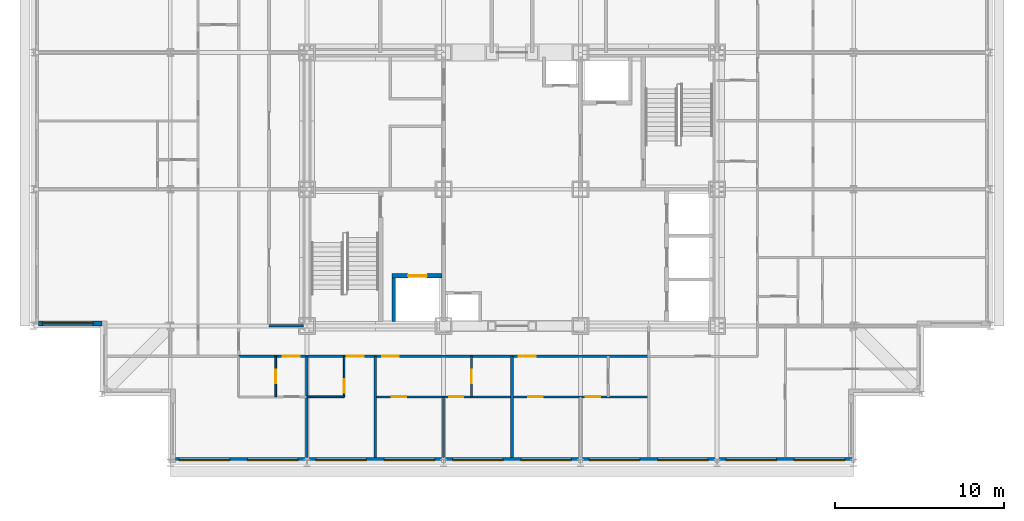
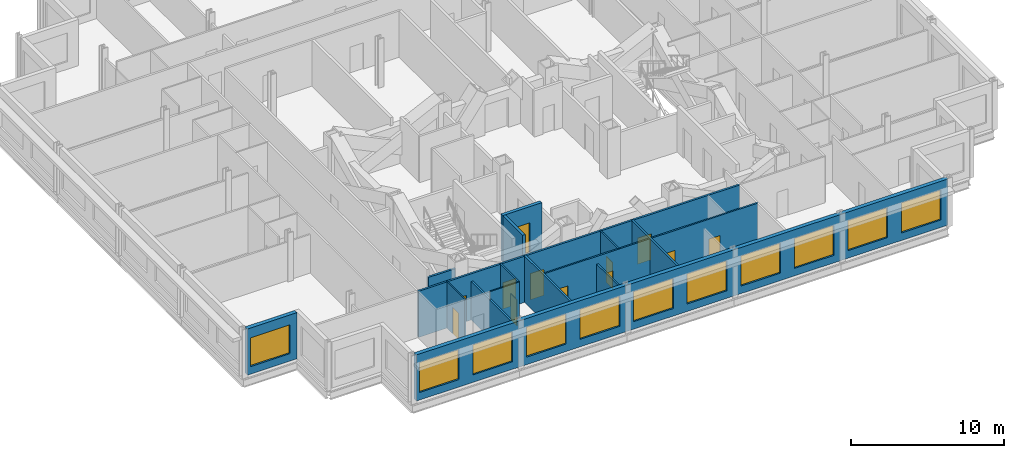
# One storey, part 7 of 15: 15 walls, 12 doors, 11 windows, 23 openings.
"""IFC4 building model written with IfcOpenShell, lengths in metres."""

from ifc_helpers import new_model, si_unit, direction, frame, frame_2d, origin, place, context, subcontext, project, spatial, rectangle, extrude, material, layer, layer_set, type_object, element, fill, save


model = new_model("IFC4")

# Units and contexts
model_context = context("Model", 3, precision=1e-05, world=origin(), true_north=direction((0.0, 1.0)))
body_context = subcontext(model_context, "Body", "Model", "MODEL_VIEW")
ifc_project = project(units=[si_unit("LENGTHUNIT", "METRE"), si_unit("AREAUNIT", "SQUARE_METRE"), si_unit("VOLUMEUNIT", "CUBIC_METRE"), si_unit("PLANEANGLEUNIT", "RADIAN"), si_unit("MASSUNIT", "GRAM", prefix="KILO")], contexts=[model_context])

# Site, building, storey
site_placement = place(None, origin())
site = spatial("IfcSite", under=ifc_project, at=site_placement, CompositionType="ELEMENT")
building_placement = place(site_placement, origin())
building = spatial("IfcBuilding", under=site, at=building_placement, Name="Kopane Lantern Tower", CompositionType="ELEMENT")
storey_placement = place(building_placement, frame((0.0, 0.0, 254.10009765625)))
storey = spatial("IfcBuildingStorey", under=building, at=storey_placement, Name="L65", CompositionType="ELEMENT", Elevation=254.10009765625)

# Wall, openings, doors
ifc_material_1 = material(Name="Gypsum board on steel studs", Category="steel")
ifc_layer_1 = layer(ifc_material_1, 0.1201171875)
ifc_layer_set_1 = layer_set([ifc_layer_1], Name="APARTMENT INTERNAL WALL 120")
wall_type_1 = type_object("IfcWallType", Name="APARTMENT INTERNAL WALL 120", PredefinedType="PARTITIONING", material=ifc_layer_set_1)
wall_1_placement = place(storey_placement, frame((20.25, 20.10009765625, 0.0), z_axis=(0.0, 0.0, 1.0), x_axis=(1.0, 0.0, 0.0)))
wall_1 = element("IfcWall", 1, at=wall_1_placement, inside=storey, type_object=wall_type_1, Name="Apartment Internal Wall 120 L65", PredefinedType="PARTITIONING", context=body_context, shape_type="SweptSolid", body=[
    extrude(rectangle(XDim=16.199951171875, YDim=0.1201171875, at=frame_2d((8.10009765625, 0.0))), origin(), (0.0, 0.0, 1.0), 3.68994140625),
])
opening_1_placement = place(wall_1_placement, frame((0.97509765625, 0.0, 0.0)))
opening_1 = element("IfcOpeningElement", 2, at=opening_1_placement, cuts=wall_1, Name="Opening L65-012", PredefinedType="OPENING", context=body_context, shape_type="SweptSolid", body=[
    extrude(rectangle(XDim=0.85009765625, YDim=2.10009765625, at=frame_2d((0.425048828125, 1.050048828125))), frame((0.0, 0.070068359375, 0.0), z_axis=(0.0, -1.0, 0.0), x_axis=(1.0, 0.0, 0.0)), (0.0, 0.0, 1.0), 0.14013671875),
])
opening_2_placement = place(wall_1_placement, frame((4.375, 0.0, 0.0)))
opening_2 = element("IfcOpeningElement", 3, at=opening_2_placement, cuts=wall_1, Name="Opening L65-013", PredefinedType="OPENING", context=body_context, shape_type="SweptSolid", body=[
    extrude(rectangle(XDim=0.85009765625, YDim=2.10009765625, at=frame_2d((0.425048828125, 1.050048828125))), frame((0.0, 0.070068359375, 0.0), z_axis=(0.0, -1.0, 0.0), x_axis=(1.0, 0.0, 0.0)), (0.0, 0.0, 1.0), 0.14013671875),
])
opening_3_placement = place(wall_1_placement, frame((9.074951171875, 0.0, 0.0)))
opening_3 = element("IfcOpeningElement", 4, at=opening_3_placement, cuts=wall_1, Name="Opening L65-016", PredefinedType="OPENING", context=body_context, shape_type="SweptSolid", body=[
    extrude(rectangle(XDim=0.85009765625, YDim=2.10009765625, at=frame_2d((0.425048828125, 1.050048828125))), frame((0.0, 0.070068359375, 0.0), z_axis=(0.0, -1.0, 0.0), x_axis=(1.0, 0.0, 0.0)), (0.0, 0.0, 1.0), 0.14013671875),
])
opening_4_placement = place(wall_1_placement, frame((12.47509765625, 0.0, 0.0)))
opening_4 = element("IfcOpeningElement", 5, at=opening_4_placement, cuts=wall_1, Name="Opening L65-017", PredefinedType="OPENING", context=body_context, shape_type="SweptSolid", body=[
    extrude(rectangle(XDim=0.85009765625, YDim=2.10009765625, at=frame_2d((0.425048828125, 1.050048828125))), frame((0.0, 0.070068359375, 0.0), z_axis=(0.0, -1.0, 0.0), x_axis=(1.0, 0.0, 0.0)), (0.0, 0.0, 1.0), 0.14013671875),
])
ifc_material_2 = material(Name="Timber door set", Category="wood")
door_type_1 = type_object("IfcDoorType", Name="DOOR D4 850x2100", OperationType="SINGLE_SWING_LEFT", PredefinedType="DOOR", material=ifc_material_2)
door_1_placement = place(opening_1_placement, origin())
door_1 = element("IfcDoor", 6, at=door_1_placement, inside=storey, type_object=door_type_1, Name="Door L65-012", OperationType="SINGLE_SWING_LEFT", OverallHeight=2.10009765625, OverallWidth=0.85009765625, PredefinedType="DOOR", context=body_context, shape_type="SweptSolid", body=[
    extrude(rectangle(XDim=0.85009765625, YDim=2.10009765625, at=frame_2d((0.425048828125, 1.050048828125))), frame((0.0, 0.02490234375, 0.0), z_axis=(0.0, -1.0, 0.0), x_axis=(1.0, 0.0, 0.0)), (0.0, 0.0, 1.0), 0.050048828125),
])
fill(opening_1, door_1)
door_2_placement = place(opening_2_placement, origin())
door_2 = element("IfcDoor", 7, at=door_2_placement, inside=storey, type_object=door_type_1, Name="Door L65-013", OperationType="SINGLE_SWING_RIGHT", OverallHeight=2.10009765625, OverallWidth=0.85009765625, PredefinedType="DOOR", context=body_context, shape_type="SweptSolid", body=[
    extrude(rectangle(XDim=0.85009765625, YDim=2.10009765625, at=frame_2d((0.425048828125, 1.050048828125))), frame((0.0, 0.02490234375, 0.0), z_axis=(0.0, -1.0, 0.0), x_axis=(1.0, 0.0, 0.0)), (0.0, 0.0, 1.0), 0.050048828125),
])
fill(opening_2, door_2)
door_3_placement = place(opening_3_placement, origin())
door_3 = element("IfcDoor", 8, at=door_3_placement, inside=storey, type_object=door_type_1, Name="Door L65-016", OperationType="SINGLE_SWING_LEFT", OverallHeight=2.10009765625, OverallWidth=0.85009765625, PredefinedType="DOOR", context=body_context, shape_type="SweptSolid", body=[
    extrude(rectangle(XDim=0.85009765625, YDim=2.10009765625, at=frame_2d((0.425048828125, 1.050048828125))), frame((0.0, 0.02490234375, 0.0), z_axis=(0.0, -1.0, 0.0), x_axis=(1.0, 0.0, 0.0)), (0.0, 0.0, 1.0), 0.050048828125),
])
fill(opening_3, door_3)
door_4_placement = place(opening_4_placement, origin())
door_4 = element("IfcDoor", 9, at=door_4_placement, inside=storey, type_object=door_type_1, Name="Door L65-017", OperationType="SINGLE_SWING_RIGHT", OverallHeight=2.10009765625, OverallWidth=0.85009765625, PredefinedType="DOOR", context=body_context, shape_type="SweptSolid", body=[
    extrude(rectangle(XDim=0.85009765625, YDim=2.10009765625, at=frame_2d((0.425048828125, 1.050048828125))), frame((0.0, 0.02490234375, 0.0), z_axis=(0.0, -1.0, 0.0), x_axis=(1.0, 0.0, 0.0)), (0.0, 0.0, 1.0), 0.050048828125),
])
fill(opening_4, door_4)

# Walls
wall_2_placement = place(storey_placement, frame((24.300048828125, 20.10009765625, 0.0), z_axis=(0.0, 0.0, 1.0), x_axis=(0.0, -1.0, 0.0)))
element("IfcWall", 10, at=wall_2_placement, inside=storey, type_object=wall_type_1, Name="Apartment Internal Wall 120 L65", PredefinedType="PARTITIONING", context=body_context, shape_type="SweptSolid", body=[
    extrude(rectangle(XDim=3.60009765625, YDim=0.1201171875, at=frame_2d((1.800048828125, 0.0))), origin(), (0.0, 0.0, 1.0), 3.07763671875),
])
ifc_material_3 = material(Name="Moisture-resistant board on steel studs", Category="steel")
ifc_layer_2 = layer(ifc_material_3, 0.10009765625)
ifc_layer_set_2 = layer_set([ifc_layer_2], Name="BATHROOM WALL 100")
wall_type_2 = type_object("IfcWallType", Name="BATHROOM WALL 100", PredefinedType="PARTITIONING", material=ifc_layer_set_2)
wall_3_placement = place(storey_placement, frame((16.199951171875, 20.10009765625, 0.0), z_axis=(0.0, 0.0, 1.0), x_axis=(1.0, 0.0, 0.0)))
element("IfcWall", 11, at=wall_3_placement, inside=storey, type_object=wall_type_2, Name="Bathroom Wall 100 L65", PredefinedType="PARTITIONING", context=body_context, shape_type="SweptSolid", body=[
    extrude(rectangle(XDim=2.199951171875, YDim=0.10009765625, at=frame_2d((1.10009765625, 0.0))), origin(), (0.0, 0.0, 1.0), 3.68994140625),
])

# Wall, opening, door
wall_4_placement = place(storey_placement, frame((18.39990234375, 22.5, 0.0), z_axis=(0.0, 0.0, 1.0), x_axis=(0.0, -1.0, 0.0)))
wall_4 = element("IfcWall", 12, at=wall_4_placement, inside=storey, type_object=wall_type_2, Name="Bathroom Wall 100 L65", PredefinedType="PARTITIONING", context=body_context, shape_type="SweptSolid", body=[
    extrude(rectangle(XDim=2.39990234375, YDim=0.10009765625, at=frame_2d((1.199951171875, 0.0))), origin(), (0.0, 0.0, 1.0), 3.68994140625),
])
opening_5_placement = place(wall_4_placement, frame((1.35009765625, 0.0, 0.0)))
opening_5 = element("IfcOpeningElement", 13, at=opening_5_placement, cuts=wall_4, Name="Opening L65-008", PredefinedType="OPENING", context=body_context, shape_type="SweptSolid", body=[
    extrude(rectangle(XDim=0.800048828125, YDim=2.10009765625, at=frame_2d((0.39990234375, 1.050048828125))), frame((0.0, 0.06005859375, 0.0), z_axis=(0.0, -1.0, 0.0), x_axis=(1.0, 0.0, 0.0)), (0.0, 0.0, 1.0), 0.1201171875),
])
ifc_material_4 = material(Name="Timber door set", Category="wood")
door_type_2 = type_object("IfcDoorType", Name="DOOR D2 800x2100", OperationType="SINGLE_SWING_LEFT", PredefinedType="DOOR", material=ifc_material_4)
door_5_placement = place(opening_5_placement, origin())
door_5 = element("IfcDoor", 14, at=door_5_placement, inside=storey, type_object=door_type_2, Name="Door L65-008", OperationType="SINGLE_SWING_LEFT", OverallHeight=2.10009765625, OverallWidth=0.800048828125, PredefinedType="DOOR", context=body_context, shape_type="SweptSolid", body=[
    extrude(rectangle(XDim=0.800048828125, YDim=2.10009765625, at=frame_2d((0.39990234375, 1.050048828125))), frame((0.0, 0.02490234375, 0.0), z_axis=(0.0, -1.0, 0.0), x_axis=(1.0, 0.0, 0.0)), (0.0, 0.0, 1.0), 0.050048828125),
])
fill(opening_5, door_5)

wall_5_placement = place(storey_placement, frame((25.949951171875, 22.5, 0.0), z_axis=(0.0, 0.0, 1.0), x_axis=(0.0, -1.0, 0.0)))
wall_5 = element("IfcWall", 15, at=wall_5_placement, inside=storey, type_object=wall_type_2, Name="Bathroom Wall 100 L65", PredefinedType="PARTITIONING", context=body_context, shape_type="SweptSolid", body=[
    extrude(rectangle(XDim=2.39990234375, YDim=0.10009765625, at=frame_2d((1.199951171875, 0.0))), origin(), (0.0, 0.0, 1.0), 3.68994140625),
])
opening_6_placement = place(wall_5_placement, frame((0.800048828125, 0.0, 0.0)))
opening_6 = element("IfcOpeningElement", 16, at=opening_6_placement, cuts=wall_5, Name="Opening L65-010", PredefinedType="OPENING", context=body_context, shape_type="SweptSolid", body=[
    extrude(rectangle(XDim=0.800048828125, YDim=2.10009765625, at=frame_2d((0.39990234375, 1.050048828125))), frame((0.0, 0.06005859375, 0.0), z_axis=(0.0, -1.0, 0.0), x_axis=(1.0, 0.0, 0.0)), (0.0, 0.0, 1.0), 0.1201171875),
])
door_6_placement = place(opening_6_placement, origin())
door_6 = element("IfcDoor", 17, at=door_6_placement, inside=storey, type_object=door_type_2, Name="Door L65-010", OperationType="SINGLE_SWING_LEFT", OverallHeight=2.10009765625, OverallWidth=0.800048828125, PredefinedType="DOOR", context=body_context, shape_type="SweptSolid", body=[
    extrude(rectangle(XDim=0.800048828125, YDim=2.10009765625, at=frame_2d((0.39990234375, 1.050048828125))), frame((0.0, 0.02490234375, 0.0), z_axis=(0.0, -1.0, 0.0), x_axis=(1.0, 0.0, 0.0)), (0.0, 0.0, 1.0), 0.050048828125),
])
fill(opening_6, door_6)

wall_6_placement = place(storey_placement, frame((14.35009765625, 22.5, 0.0), z_axis=(0.0, 0.0, 1.0), x_axis=(0.0, -1.0, 0.0)))
wall_6 = element("IfcWall", 18, at=wall_6_placement, inside=storey, type_object=wall_type_2, Name="Bathroom Wall 100 L65", PredefinedType="PARTITIONING", context=body_context, shape_type="SweptSolid", body=[
    extrude(rectangle(XDim=2.39990234375, YDim=0.10009765625, at=frame_2d((1.199951171875, 0.0))), origin(), (0.0, 0.0, 1.0), 3.68994140625),
])
opening_7_placement = place(wall_6_placement, frame((0.800048828125, 0.0, 0.0)))
opening_7 = element("IfcOpeningElement", 19, at=opening_7_placement, cuts=wall_6, Name="Opening L65-036", PredefinedType="OPENING", context=body_context, shape_type="SweptSolid", body=[
    extrude(rectangle(XDim=0.800048828125, YDim=2.10009765625, at=frame_2d((0.39990234375, 1.050048828125))), frame((0.0, 0.06005859375, 0.0), z_axis=(0.0, -1.0, 0.0), x_axis=(1.0, 0.0, 0.0)), (0.0, 0.0, 1.0), 0.1201171875),
])
door_7_placement = place(opening_7_placement, origin())
door_7 = element("IfcDoor", 20, at=door_7_placement, inside=storey, type_object=door_type_2, Name="Door L65-036", OperationType="SINGLE_SWING_RIGHT", OverallHeight=2.10009765625, OverallWidth=0.800048828125, PredefinedType="DOOR", context=body_context, shape_type="SweptSolid", body=[
    extrude(rectangle(XDim=0.800048828125, YDim=2.10009765625, at=frame_2d((0.39990234375, 1.050048828125))), frame((0.0, 0.02490234375, 0.0), z_axis=(0.0, -1.0, 0.0), x_axis=(1.0, 0.0, 0.0)), (0.0, 0.0, 1.0), 0.050048828125),
])
fill(opening_7, door_7)

ifc_material_5 = material(Name="Gypsum shaft wall EI 120", Category="gypsum")
ifc_layer_3 = layer(ifc_material_5, 0.25)
ifc_layer_set_3 = layer_set([ifc_layer_3], Name="CORE SHAFT WALL 250 EI 120")
wall_type_3 = type_object("IfcWallType", Name="CORE SHAFT WALL 250 EI 120", PredefinedType="SOLIDWALL", material=ifc_layer_set_3)
wall_7_placement = place(storey_placement, frame((21.25, 27.27490234375, 0.0), z_axis=(0.0, 0.0, 1.0), x_axis=(1.0, 0.0, 0.0)))
wall_7 = element("IfcWall", 21, at=wall_7_placement, inside=storey, type_object=wall_type_3, Name="Core shaft wall L65 YLF1", PredefinedType="SOLIDWALL", context=body_context, shape_type="SweptSolid", body=[
    extrude(rectangle(XDim=2.949951171875, YDim=0.25, at=frame_2d((1.47509765625, 0.0))), origin(), (0.0, 0.0, 1.0), 3.68994140625),
])
opening_8_placement = place(wall_7_placement, frame((0.949951171875, 0.0, 0.0)))
opening_8 = element("IfcOpeningElement", 22, at=opening_8_placement, cuts=wall_7, Name="Opening 65.LD-LF1", PredefinedType="OPENING", context=body_context, shape_type="SweptSolid", body=[
    extrude(rectangle(XDim=1.10009765625, YDim=2.39990234375, at=frame_2d((0.550048828125, 1.199951171875))), frame((0.0, 0.135009765625, 0.0), z_axis=(0.0, -1.0, 0.0), x_axis=(1.0, 0.0, 0.0)), (0.0, 0.0, 1.0), 0.27001953125),
])
ifc_material_6 = material(Name="Steel door set", Category="steel")
door_type_3 = type_object("IfcDoorType", Name="LIFT LANDING DOOR 1100x2400 FD60", OperationType="DOUBLE_DOOR_SLIDING", PredefinedType="DOOR", material=ifc_material_6)
door_8_placement = place(opening_8_placement, origin())
door_8 = element("IfcDoor", 23, at=door_8_placement, inside=storey, type_object=door_type_3, Name="Landing door LF1 L65", OperationType="DOUBLE_DOOR_SLIDING", OverallHeight=2.39990234375, OverallWidth=1.10009765625, PredefinedType="DOOR", context=body_context, shape_type="SweptSolid", body=[
    extrude(rectangle(XDim=1.10009765625, YDim=2.39990234375, at=frame_2d((0.550048828125, 1.199951171875))), frame((0.0, 0.02490234375, 0.0), z_axis=(0.0, -1.0, 0.0), x_axis=(1.0, 0.0, 0.0)), (0.0, 0.0, 1.0), 0.050048828125),
])
fill(opening_8, door_8)

# Wall, openings, doors
ifc_material_7 = material(Name="Gypsum board on steel studs", Category="steel")
ifc_layer_4 = layer(ifc_material_7, 0.14990234375)
ifc_layer_set_4 = layer_set([ifc_layer_4], Name="CORRIDOR WALL 150 EI 60")
wall_type_4 = type_object("IfcWallType", Name="CORRIDOR WALL 150 EI 60", PredefinedType="PARTITIONING", material=ifc_layer_set_4)
wall_8_placement = place(storey_placement, frame((12.14990234375, 22.5, 0.0), z_axis=(0.0, 0.0, 1.0), x_axis=(1.0, 0.0, 0.0)))
wall_8 = element("IfcWall", 24, at=wall_8_placement, inside=storey, type_object=wall_type_4, Name="Corridor Wall 150 Ei 60 L65", PredefinedType="PARTITIONING", context=body_context, shape_type="SweptSolid", body=[
    extrude(rectangle(XDim=24.300048828125, YDim=0.14990234375, at=frame_2d((12.14990234375, 0.0))), origin(), (0.0, 0.0, 1.0), 3.68994140625),
])
opening_9_placement = place(wall_8_placement, frame((6.39990234375, 0.0, 0.0)))
opening_9 = element("IfcOpeningElement", 25, at=opening_9_placement, cuts=wall_8, Name="Opening L65-009", PredefinedType="OPENING", context=body_context, shape_type="SweptSolid", body=[
    extrude(rectangle(XDim=1.0, YDim=2.10009765625, at=frame_2d((0.5, 1.050048828125))), frame((0.0, 0.0849609375, 0.0), z_axis=(0.0, -1.0, 0.0), x_axis=(1.0, 0.0, 0.0)), (0.0, 0.0, 1.0), 0.169921875),
])
opening_10_placement = place(wall_8_placement, frame((8.5, 0.0, 0.0)))
opening_10 = element("IfcOpeningElement", 26, at=opening_10_placement, cuts=wall_8, Name="Opening L65-011", PredefinedType="OPENING", context=body_context, shape_type="SweptSolid", body=[
    extrude(rectangle(XDim=1.0, YDim=2.10009765625, at=frame_2d((0.5, 1.050048828125))), frame((0.0, 0.0849609375, 0.0), z_axis=(0.0, -1.0, 0.0), x_axis=(1.0, 0.0, 0.0)), (0.0, 0.0, 1.0), 0.169921875),
])
opening_11_placement = place(wall_8_placement, frame((16.60009765625, 0.0, 0.0)))
opening_11 = element("IfcOpeningElement", 27, at=opening_11_placement, cuts=wall_8, Name="Opening L65-015", PredefinedType="OPENING", context=body_context, shape_type="SweptSolid", body=[
    extrude(rectangle(XDim=1.0, YDim=2.10009765625, at=frame_2d((0.5, 1.050048828125))), frame((0.0, 0.0849609375, 0.0), z_axis=(0.0, -1.0, 0.0), x_axis=(1.0, 0.0, 0.0)), (0.0, 0.0, 1.0), 0.169921875),
])
opening_12_placement = place(wall_8_placement, frame((2.625, 0.0, 0.0)))
opening_12 = element("IfcOpeningElement", 28, at=opening_12_placement, cuts=wall_8, Name="Opening L65-037", PredefinedType="OPENING", context=body_context, shape_type="SweptSolid", body=[
    extrude(rectangle(XDim=1.0, YDim=2.10009765625, at=frame_2d((0.5, 1.050048828125))), frame((0.0, 0.0849609375, 0.0), z_axis=(0.0, -1.0, 0.0), x_axis=(1.0, 0.0, 0.0)), (0.0, 0.0, 1.0), 0.169921875),
])
ifc_material_8 = material(Name="Steel door set", Category="steel")
door_type_4 = type_object("IfcDoorType", Name="DOOR D3 1000x2100 FD30S", OperationType="SINGLE_SWING_LEFT", PredefinedType="DOOR", material=ifc_material_8)
door_9_placement = place(opening_9_placement, origin())
door_9 = element("IfcDoor", 29, at=door_9_placement, inside=storey, type_object=door_type_4, Name="Door L65-009", OperationType="SINGLE_SWING_RIGHT", OverallHeight=2.10009765625, OverallWidth=1.0, PredefinedType="DOOR", context=body_context, shape_type="SweptSolid", body=[
    extrude(rectangle(XDim=1.0, YDim=2.10009765625, at=frame_2d((0.5, 1.050048828125))), frame((0.0, 0.02490234375, 0.0), z_axis=(0.0, -1.0, 0.0), x_axis=(1.0, 0.0, 0.0)), (0.0, 0.0, 1.0), 0.050048828125),
])
fill(opening_9, door_9)
door_10_placement = place(opening_10_placement, origin())
door_10 = element("IfcDoor", 30, at=door_10_placement, inside=storey, type_object=door_type_4, Name="Door L65-011", OperationType="SINGLE_SWING_RIGHT", OverallHeight=2.10009765625, OverallWidth=1.0, PredefinedType="DOOR", context=body_context, shape_type="SweptSolid", body=[
    extrude(rectangle(XDim=1.0, YDim=2.10009765625, at=frame_2d((0.5, 1.050048828125))), frame((0.0, 0.02490234375, 0.0), z_axis=(0.0, -1.0, 0.0), x_axis=(1.0, 0.0, 0.0)), (0.0, 0.0, 1.0), 0.050048828125),
])
fill(opening_10, door_10)
door_11_placement = place(opening_11_placement, origin())
door_11 = element("IfcDoor", 31, at=door_11_placement, inside=storey, type_object=door_type_4, Name="Door L65-015", OperationType="SINGLE_SWING_RIGHT", OverallHeight=2.10009765625, OverallWidth=1.0, PredefinedType="DOOR", context=body_context, shape_type="SweptSolid", body=[
    extrude(rectangle(XDim=1.0, YDim=2.10009765625, at=frame_2d((0.5, 1.050048828125))), frame((0.0, 0.02490234375, 0.0), z_axis=(0.0, -1.0, 0.0), x_axis=(1.0, 0.0, 0.0)), (0.0, 0.0, 1.0), 0.050048828125),
])
fill(opening_11, door_11)
door_12_placement = place(opening_12_placement, origin())
door_12 = element("IfcDoor", 32, at=door_12_placement, inside=storey, type_object=door_type_4, Name="Door L65-037", OperationType="SINGLE_SWING_RIGHT", OverallHeight=2.10009765625, OverallWidth=1.0, PredefinedType="DOOR", context=body_context, shape_type="SweptSolid", body=[
    extrude(rectangle(XDim=1.0, YDim=2.10009765625, at=frame_2d((0.5, 1.050048828125))), frame((0.0, 0.02490234375, 0.0), z_axis=(0.0, -1.0, 0.0), x_axis=(1.0, 0.0, 0.0)), (0.0, 0.0, 1.0), 0.050048828125),
])
fill(opening_12, door_12)

# Walls
wall_9_placement = place(storey_placement, frame((16.0, 24.300048828125, 0.0), z_axis=(0.0, 0.0, 1.0), x_axis=(-1.0, 0.0, 0.0)))
element("IfcWall", 33, at=wall_9_placement, inside=storey, type_object=wall_type_4, Name="Corridor Wall 150 Ei 60 L65", PredefinedType="PARTITIONING", context=body_context, shape_type="SweptSolid", body=[
    extrude(rectangle(XDim=2.050048828125, YDim=0.14990234375, at=frame_2d((1.02490234375, 0.0))), origin(), (0.0, 0.0, 1.0), 3.07763671875),
])
ifc_material_9 = material(Name="Gypsum board on steel studs", Category="steel")
ifc_layer_5 = layer(ifc_material_9, 0.14990234375)
ifc_layer_set_5 = layer_set([ifc_layer_5], Name="DEMISING WALL 150 EI 60")
wall_type_5 = type_object("IfcWallType", Name="DEMISING WALL 150 EI 60", PredefinedType="PARTITIONING", material=ifc_layer_set_5)
for number, where, z_axis, x_axis, name in (
    (34, (20.25, 22.5, 0.0), (0.0, 0.0, 1.0), (0.0, -1.0, 0.0), "Demising Wall 150 Ei 60 L65"),
    (35, (28.35009765625, 22.5, 0.0), (0.0, 0.0, 1.0), (0.0, -1.0, 0.0), "Demising Wall 150 Ei 60 L65"),
):
    element("IfcWall", number, at=place(storey_placement, frame(where, z_axis=z_axis, x_axis=x_axis)), inside=storey, type_object=wall_type_5, Name=name, PredefinedType="PARTITIONING", context=body_context, shape_type="SweptSolid", body=[
        extrude(rectangle(XDim=6.0, YDim=0.14990234375, at=frame_2d((3.0, 0.0))), origin(), (0.0, 0.0, 1.0), 3.68994140625),
    ])
wall_10_placement = place(storey_placement, frame((16.199951171875, 22.5, 0.0), z_axis=(0.0, 0.0, 1.0), x_axis=(0.0, -1.0, 0.0)))
element("IfcWall", 36, at=wall_10_placement, inside=storey, type_object=wall_type_5, Name="Demising Wall 150 Ei 60 L65", PredefinedType="PARTITIONING", context=body_context, shape_type="SweptSolid", body=[
    extrude(rectangle(XDim=6.0, YDim=0.14990234375, at=frame_2d((3.0, 0.0))), origin(), (0.0, 0.0, 1.0), 3.07763671875),
])

# Wall, openings, windows
ifc_material_10 = material(Name="Terracotta rainscreen on light steel framing", Category="masonry")
ifc_layer_6 = layer(ifc_material_10, 0.300048828125)
ifc_layer_set_6 = layer_set([ifc_layer_6], Name="EXTERNAL WALL EW1 300 TERRACOTTA")
wall_type_6 = type_object("IfcWallType", Name="EXTERNAL WALL EW1 300 TERRACOTTA", PredefinedType="SOLIDWALL", material=ifc_layer_set_6)
wall_11_placement = place(storey_placement, frame((8.39990234375, 16.35009765625, 0.0), z_axis=(0.0, 0.0, 1.0), x_axis=(1.0, 0.0, 0.0)))
wall_11 = element("IfcWall", 37, at=wall_11_placement, inside=storey, type_object=wall_type_6, Name="External wall S L65", PredefinedType="SOLIDWALL", context=body_context, shape_type="SweptSolid", body=[
    extrude(rectangle(XDim=40.2001953125, YDim=0.300048828125, at=frame_2d((20.10009765625, 0.0))), origin(), (0.0, 0.0, 1.0), 3.68994140625),
])
opening_13_placement = place(wall_11_placement, frame((0.22509765625, 0.0, 0.60009765625)))
opening_13 = element("IfcOpeningElement", 38, at=opening_13_placement, cuts=wall_11, Name="Opening WR300240", PredefinedType="OPENING", context=body_context, shape_type="SweptSolid", body=[
    extrude(rectangle(XDim=3.0, YDim=2.39990234375, at=frame_2d((1.5, 1.199951171875))), frame((0.0, 0.159912109375, 0.0), z_axis=(0.0, -1.0, 0.0), x_axis=(1.0, 0.0, 0.0)), (0.0, 0.0, 1.0), 0.320068359375),
])
opening_14_placement = place(wall_11_placement, frame((4.27490234375, 0.0, 0.60009765625)))
opening_14 = element("IfcOpeningElement", 39, at=opening_14_placement, cuts=wall_11, Name="Opening WR300240", PredefinedType="OPENING", context=body_context, shape_type="SweptSolid", body=[
    extrude(rectangle(XDim=3.0, YDim=2.39990234375, at=frame_2d((1.5, 1.199951171875))), frame((0.0, 0.159912109375, 0.0), z_axis=(0.0, -1.0, 0.0), x_axis=(1.0, 0.0, 0.0)), (0.0, 0.0, 1.0), 0.320068359375),
])
opening_15_placement = place(wall_11_placement, frame((8.324951171875, 0.0, 0.60009765625)))
opening_15 = element("IfcOpeningElement", 40, at=opening_15_placement, cuts=wall_11, Name="Opening WR300240", PredefinedType="OPENING", context=body_context, shape_type="SweptSolid", body=[
    extrude(rectangle(XDim=3.0, YDim=2.39990234375, at=frame_2d((1.5, 1.199951171875))), frame((0.0, 0.159912109375, 0.0), z_axis=(0.0, -1.0, 0.0), x_axis=(1.0, 0.0, 0.0)), (0.0, 0.0, 1.0), 0.320068359375),
])
opening_16_placement = place(wall_11_placement, frame((12.375, 0.0, 0.60009765625)))
opening_16 = element("IfcOpeningElement", 41, at=opening_16_placement, cuts=wall_11, Name="Opening WR300240", PredefinedType="OPENING", context=body_context, shape_type="SweptSolid", body=[
    extrude(rectangle(XDim=3.0, YDim=2.39990234375, at=frame_2d((1.5, 1.199951171875))), frame((0.0, 0.159912109375, 0.0), z_axis=(0.0, -1.0, 0.0), x_axis=(1.0, 0.0, 0.0)), (0.0, 0.0, 1.0), 0.320068359375),
])
opening_17_placement = place(wall_11_placement, frame((16.425048828125, 0.0, 0.60009765625)))
opening_17 = element("IfcOpeningElement", 42, at=opening_17_placement, cuts=wall_11, Name="Opening WR300240", PredefinedType="OPENING", context=body_context, shape_type="SweptSolid", body=[
    extrude(rectangle(XDim=3.0, YDim=2.39990234375, at=frame_2d((1.5, 1.199951171875))), frame((0.0, 0.159912109375, 0.0), z_axis=(0.0, -1.0, 0.0), x_axis=(1.0, 0.0, 0.0)), (0.0, 0.0, 1.0), 0.320068359375),
])
opening_18_placement = place(wall_11_placement, frame((20.47509765625, 0.0, 0.60009765625)))
opening_18 = element("IfcOpeningElement", 43, at=opening_18_placement, cuts=wall_11, Name="Opening WR300240", PredefinedType="OPENING", context=body_context, shape_type="SweptSolid", body=[
    extrude(rectangle(XDim=3.0, YDim=2.39990234375, at=frame_2d((1.5, 1.199951171875))), frame((0.0, 0.159912109375, 0.0), z_axis=(0.0, -1.0, 0.0), x_axis=(1.0, 0.0, 0.0)), (0.0, 0.0, 1.0), 0.320068359375),
])
opening_19_placement = place(wall_11_placement, frame((24.52490234375, 0.0, 0.60009765625)))
opening_19 = element("IfcOpeningElement", 44, at=opening_19_placement, cuts=wall_11, Name="Opening WR300240", PredefinedType="OPENING", context=body_context, shape_type="SweptSolid", body=[
    extrude(rectangle(XDim=3.0, YDim=2.39990234375, at=frame_2d((1.5, 1.199951171875))), frame((0.0, 0.159912109375, 0.0), z_axis=(0.0, -1.0, 0.0), x_axis=(1.0, 0.0, 0.0)), (0.0, 0.0, 1.0), 0.320068359375),
])
opening_20_placement = place(wall_11_placement, frame((28.574951171875, 0.0, 0.60009765625)))
opening_20 = element("IfcOpeningElement", 45, at=opening_20_placement, cuts=wall_11, Name="Opening WR300240", PredefinedType="OPENING", context=body_context, shape_type="SweptSolid", body=[
    extrude(rectangle(XDim=3.0, YDim=2.39990234375, at=frame_2d((1.5, 1.199951171875))), frame((0.0, 0.159912109375, 0.0), z_axis=(0.0, -1.0, 0.0), x_axis=(1.0, 0.0, 0.0)), (0.0, 0.0, 1.0), 0.320068359375),
])
opening_21_placement = place(wall_11_placement, frame((32.625, 0.0, 0.60009765625)))
opening_21 = element("IfcOpeningElement", 46, at=opening_21_placement, cuts=wall_11, Name="Opening WR300240", PredefinedType="OPENING", context=body_context, shape_type="SweptSolid", body=[
    extrude(rectangle(XDim=3.0, YDim=2.39990234375, at=frame_2d((1.5, 1.199951171875))), frame((0.0, 0.159912109375, 0.0), z_axis=(0.0, -1.0, 0.0), x_axis=(1.0, 0.0, 0.0)), (0.0, 0.0, 1.0), 0.320068359375),
])
opening_22_placement = place(wall_11_placement, frame((36.675048828125, 0.0, 0.60009765625)))
opening_22 = element("IfcOpeningElement", 47, at=opening_22_placement, cuts=wall_11, Name="Opening WR300240", PredefinedType="OPENING", context=body_context, shape_type="SweptSolid", body=[
    extrude(rectangle(XDim=3.0, YDim=2.39990234375, at=frame_2d((1.5, 1.199951171875))), frame((0.0, 0.159912109375, 0.0), z_axis=(0.0, -1.0, 0.0), x_axis=(1.0, 0.0, 0.0)), (0.0, 0.0, 1.0), 0.320068359375),
])
ifc_material_11 = material(Name="Aluminium and clear glass", Category="aluminium")
window_type_1 = type_object("IfcWindowType", Name="RIBBON WINDOW WR300240 3000x2400", PartitioningType="SINGLE_PANEL", PredefinedType="WINDOW", material=ifc_material_11)
window_1_placement = place(opening_13_placement, origin())
window_1 = element("IfcWindow", 48, at=window_1_placement, inside=storey, type_object=window_type_1, Name="Window S L65", OverallHeight=2.39990234375, OverallWidth=3.0, PartitioningType="SINGLE_PANEL", PredefinedType="WINDOW", context=body_context, shape_type="SweptSolid", body=[
    extrude(rectangle(XDim=3.0, YDim=2.39990234375, at=frame_2d((1.5, 1.199951171875))), frame((0.0, 0.030029296875, 0.0), z_axis=(0.0, -1.0, 0.0), x_axis=(1.0, 0.0, 0.0)), (0.0, 0.0, 1.0), 0.06005859375),
])
fill(opening_13, window_1)
window_2_placement = place(opening_14_placement, origin())
window_2 = element("IfcWindow", 49, at=window_2_placement, inside=storey, type_object=window_type_1, Name="Window S L65", OverallHeight=2.39990234375, OverallWidth=3.0, PartitioningType="SINGLE_PANEL", PredefinedType="WINDOW", context=body_context, shape_type="SweptSolid", body=[
    extrude(rectangle(XDim=3.0, YDim=2.39990234375, at=frame_2d((1.5, 1.199951171875))), frame((0.0, 0.030029296875, 0.0), z_axis=(0.0, -1.0, 0.0), x_axis=(1.0, 0.0, 0.0)), (0.0, 0.0, 1.0), 0.06005859375),
])
fill(opening_14, window_2)
window_3_placement = place(opening_15_placement, origin())
window_3 = element("IfcWindow", 50, at=window_3_placement, inside=storey, type_object=window_type_1, Name="Window S L65", OverallHeight=2.39990234375, OverallWidth=3.0, PartitioningType="SINGLE_PANEL", PredefinedType="WINDOW", context=body_context, shape_type="SweptSolid", body=[
    extrude(rectangle(XDim=3.0, YDim=2.39990234375, at=frame_2d((1.5, 1.199951171875))), frame((0.0, 0.030029296875, 0.0), z_axis=(0.0, -1.0, 0.0), x_axis=(1.0, 0.0, 0.0)), (0.0, 0.0, 1.0), 0.06005859375),
])
fill(opening_15, window_3)
window_4_placement = place(opening_16_placement, origin())
window_4 = element("IfcWindow", 51, at=window_4_placement, inside=storey, type_object=window_type_1, Name="Window S L65", OverallHeight=2.39990234375, OverallWidth=3.0, PartitioningType="SINGLE_PANEL", PredefinedType="WINDOW", context=body_context, shape_type="SweptSolid", body=[
    extrude(rectangle(XDim=3.0, YDim=2.39990234375, at=frame_2d((1.5, 1.199951171875))), frame((0.0, 0.030029296875, 0.0), z_axis=(0.0, -1.0, 0.0), x_axis=(1.0, 0.0, 0.0)), (0.0, 0.0, 1.0), 0.06005859375),
])
fill(opening_16, window_4)
window_5_placement = place(opening_17_placement, origin())
window_5 = element("IfcWindow", 52, at=window_5_placement, inside=storey, type_object=window_type_1, Name="Window S L65", OverallHeight=2.39990234375, OverallWidth=3.0, PartitioningType="SINGLE_PANEL", PredefinedType="WINDOW", context=body_context, shape_type="SweptSolid", body=[
    extrude(rectangle(XDim=3.0, YDim=2.39990234375, at=frame_2d((1.5, 1.199951171875))), frame((0.0, 0.030029296875, 0.0), z_axis=(0.0, -1.0, 0.0), x_axis=(1.0, 0.0, 0.0)), (0.0, 0.0, 1.0), 0.06005859375),
])
fill(opening_17, window_5)
window_6_placement = place(opening_18_placement, origin())
window_6 = element("IfcWindow", 53, at=window_6_placement, inside=storey, type_object=window_type_1, Name="Window S L65", OverallHeight=2.39990234375, OverallWidth=3.0, PartitioningType="SINGLE_PANEL", PredefinedType="WINDOW", context=body_context, shape_type="SweptSolid", body=[
    extrude(rectangle(XDim=3.0, YDim=2.39990234375, at=frame_2d((1.5, 1.199951171875))), frame((0.0, 0.030029296875, 0.0), z_axis=(0.0, -1.0, 0.0), x_axis=(1.0, 0.0, 0.0)), (0.0, 0.0, 1.0), 0.06005859375),
])
fill(opening_18, window_6)
window_7_placement = place(opening_19_placement, origin())
window_7 = element("IfcWindow", 54, at=window_7_placement, inside=storey, type_object=window_type_1, Name="Window S L65", OverallHeight=2.39990234375, OverallWidth=3.0, PartitioningType="SINGLE_PANEL", PredefinedType="WINDOW", context=body_context, shape_type="SweptSolid", body=[
    extrude(rectangle(XDim=3.0, YDim=2.39990234375, at=frame_2d((1.5, 1.199951171875))), frame((0.0, 0.030029296875, 0.0), z_axis=(0.0, -1.0, 0.0), x_axis=(1.0, 0.0, 0.0)), (0.0, 0.0, 1.0), 0.06005859375),
])
fill(opening_19, window_7)
window_8_placement = place(opening_20_placement, origin())
window_8 = element("IfcWindow", 55, at=window_8_placement, inside=storey, type_object=window_type_1, Name="Window S L65", OverallHeight=2.39990234375, OverallWidth=3.0, PartitioningType="SINGLE_PANEL", PredefinedType="WINDOW", context=body_context, shape_type="SweptSolid", body=[
    extrude(rectangle(XDim=3.0, YDim=2.39990234375, at=frame_2d((1.5, 1.199951171875))), frame((0.0, 0.030029296875, 0.0), z_axis=(0.0, -1.0, 0.0), x_axis=(1.0, 0.0, 0.0)), (0.0, 0.0, 1.0), 0.06005859375),
])
fill(opening_20, window_8)
window_9_placement = place(opening_21_placement, origin())
window_9 = element("IfcWindow", 56, at=window_9_placement, inside=storey, type_object=window_type_1, Name="Window S L65", OverallHeight=2.39990234375, OverallWidth=3.0, PartitioningType="SINGLE_PANEL", PredefinedType="WINDOW", context=body_context, shape_type="SweptSolid", body=[
    extrude(rectangle(XDim=3.0, YDim=2.39990234375, at=frame_2d((1.5, 1.199951171875))), frame((0.0, 0.030029296875, 0.0), z_axis=(0.0, -1.0, 0.0), x_axis=(1.0, 0.0, 0.0)), (0.0, 0.0, 1.0), 0.06005859375),
])
fill(opening_21, window_9)
window_10_placement = place(opening_22_placement, origin())
window_10 = element("IfcWindow", 57, at=window_10_placement, inside=storey, type_object=window_type_1, Name="Window S L65", OverallHeight=2.39990234375, OverallWidth=3.0, PartitioningType="SINGLE_PANEL", PredefinedType="WINDOW", context=body_context, shape_type="SweptSolid", body=[
    extrude(rectangle(XDim=3.0, YDim=2.39990234375, at=frame_2d((1.5, 1.199951171875))), frame((0.0, 0.030029296875, 0.0), z_axis=(0.0, -1.0, 0.0), x_axis=(1.0, 0.0, 0.0)), (0.0, 0.0, 1.0), 0.06005859375),
])
fill(opening_22, window_10)

# Wall, opening, window
wall_12_placement = place(storey_placement, frame((0.300048828125, 24.449951171875, 0.0), z_axis=(0.0, 0.0, 1.0), x_axis=(1.0, 0.0, 0.0)))
wall_12 = element("IfcWall", 58, at=wall_12_placement, inside=storey, type_object=wall_type_6, Name="External wall S L65", PredefinedType="SOLIDWALL", context=body_context, shape_type="SweptSolid", body=[
    extrude(rectangle(XDim=3.75, YDim=0.300048828125, at=frame_2d((1.875, 0.0))), origin(), (0.0, 0.0, 1.0), 3.68994140625),
])
opening_23_placement = place(wall_12_placement, frame((0.22509765625, 0.0, 0.60009765625)))
opening_23 = element("IfcOpeningElement", 59, at=opening_23_placement, cuts=wall_12, Name="Opening WR300230", PredefinedType="OPENING", context=body_context, shape_type="SweptSolid", body=[
    extrude(rectangle(XDim=3.0, YDim=2.300048828125, at=frame_2d((1.5, 1.14990234375))), frame((0.0, 0.159912109375, 0.0), z_axis=(0.0, -1.0, 0.0), x_axis=(1.0, 0.0, 0.0)), (0.0, 0.0, 1.0), 0.320068359375),
])
ifc_material_12 = material(Name="Aluminium and clear glass", Category="aluminium")
window_type_2 = type_object("IfcWindowType", Name="RIBBON WINDOW WR300230 3000x2300", PartitioningType="SINGLE_PANEL", PredefinedType="WINDOW", material=ifc_material_12)
window_11_placement = place(opening_23_placement, origin())
window_11 = element("IfcWindow", 60, at=window_11_placement, inside=storey, type_object=window_type_2, Name="Window S L65", OverallHeight=2.300048828125, OverallWidth=3.0, PartitioningType="SINGLE_PANEL", PredefinedType="WINDOW", context=body_context, shape_type="SweptSolid", body=[
    extrude(rectangle(XDim=3.0, YDim=2.300048828125, at=frame_2d((1.5, 1.14990234375))), frame((0.0, 0.030029296875, 0.0), z_axis=(0.0, -1.0, 0.0), x_axis=(1.0, 0.0, 0.0)), (0.0, 0.0, 1.0), 0.06005859375),
])
fill(opening_23, window_11)

# Wall
ifc_material_13 = material(Name="Gypsum shaft wall EI 120", Category="gypsum")
ifc_layer_7 = layer(ifc_material_13, 0.199951171875)
ifc_layer_set_7 = layer_set([ifc_layer_7], Name="SHAFT WALL 200 EI 120")
wall_type_7 = type_object("IfcWallType", Name="SHAFT WALL 200 EI 120", PredefinedType="SOLIDWALL", material=ifc_layer_set_7)
wall_13_placement = place(storey_placement, frame((21.35009765625, 24.550048828125, 0.0), z_axis=(0.0, 0.0, 1.0), x_axis=(0.0, 1.0, 0.0)))
element("IfcWall", 61, at=wall_13_placement, inside=storey, type_object=wall_type_7, Name="Core shaft wall L65 XLF1", PredefinedType="SOLIDWALL", context=body_context, shape_type="SweptSolid", body=[
    extrude(rectangle(XDim=2.599853515625, YDim=0.199951171875, at=frame_2d((1.2998046875, 0.0))), origin(), (0.0, 0.0, 1.0), 3.68994140625),
])

save(model, "model.ifc")
